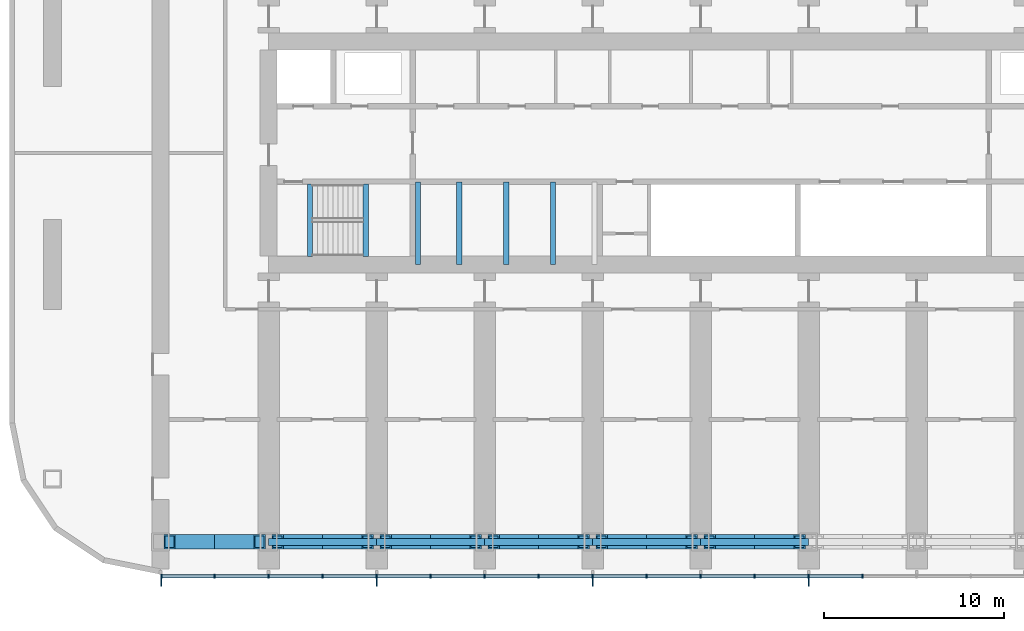
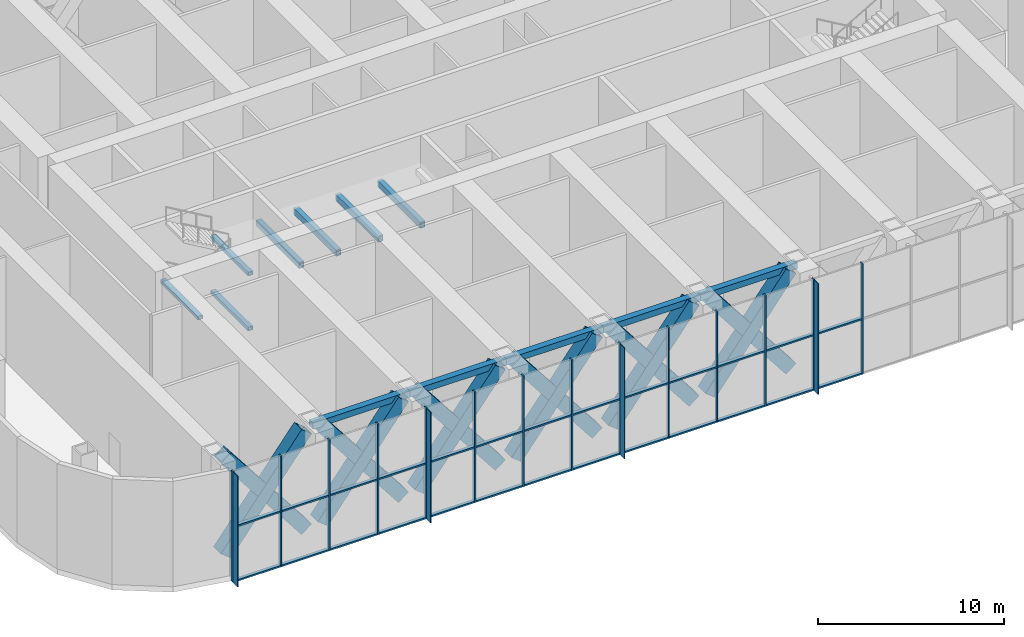
# One storey, part 2 of 22: 56 members, 12 beams, 1 element without a shape of its own.
"""IFC4 building model written with IfcOpenShell, lengths in metres."""

from ifc_helpers import new_model, si_unit, direction, frame, origin, origin_2d, place, context, subcontext, project, spatial, rectangle, hollow_rectangle, extrude, material, material_profile, profile_set, type_object, element, aggregate, save


model = new_model("IFC4")

# Units and contexts
model_context = context("Model", 3, precision=1e-05, world=origin(), true_north=direction((0.0, 1.0)))
body_context = subcontext(model_context, "Body", "Model", "MODEL_VIEW")
ifc_project = project(units=[si_unit("LENGTHUNIT", "METRE"), si_unit("AREAUNIT", "SQUARE_METRE"), si_unit("VOLUMEUNIT", "CUBIC_METRE"), si_unit("PLANEANGLEUNIT", "RADIAN"), si_unit("MASSUNIT", "GRAM", prefix="KILO")], contexts=[model_context])

# Site, building, storey
site_placement = place(None, origin())
site = spatial("IfcSite", under=ifc_project, at=site_placement, CompositionType="ELEMENT")
building_placement = place(site_placement, origin())
building = spatial("IfcBuilding", under=site, at=building_placement, Name="Orbita Commons", CompositionType="ELEMENT")
storey_placement = place(building_placement, frame((0.0, 0.0, 133.14990234375)))
storey = spatial("IfcBuildingStorey", under=building, at=storey_placement, Name="L33", CompositionType="ELEMENT", Elevation=133.14990234375)

# Members
ifc_material_1 = material(Name="Steel ASTM A572 Gr 50 welded plate", Category="steel")
ifc_material_profile_1 = material_profile(ifc_material_1, hollow_rectangle(XDim=0.800048828125, YDim=0.800048828125, WallThickness=0.080078125, at=origin_2d()), Name="BOX 800x800x80")
ifc_profile_set_1 = profile_set([ifc_material_profile_1], Name="Steel ASTM A572 Gr 50 welded plate")
member_type_1 = type_object("IfcMemberType", Name="Belt truss diagonal BOX 800x800x80", PredefinedType="BRACE", material=ifc_profile_set_1)
for number, where, z_axis, x_axis, name in (
    (1, (12.5, 10.39990234375, 0.25), (0.615635291812, 0.0, 0.788031209709), (0.0, 1.0, 0.0), "Belt truss diagonal B 3-4 rising L33"),
    (2, (12.5, 10.39990234375, 6.650146484375), (0.615635291812, 0.0, -0.788031209709), (0.0, 1.0, 0.0), "Belt truss diagonal B 3-4 falling L33"),
    (3, (18.5, 10.39990234375, 0.25), (0.615635291812, 0.0, 0.788031209709), (0.0, 1.0, 0.0), "Belt truss diagonal B 4-5 rising L33"),
    (4, (18.5, 10.39990234375, 6.650146484375), (0.615635291812, 0.0, -0.788031209709), (0.0, 1.0, 0.0), "Belt truss diagonal B 4-5 falling L33"),
    (5, (24.5, 10.39990234375, 0.25), (0.615635291812, 0.0, 0.788031209709), (0.0, 1.0, 0.0), "Belt truss diagonal B 5-6 rising L33"),
    (6, (24.5, 10.39990234375, 6.650146484375), (0.615635291812, 0.0, -0.788031209709), (0.0, 1.0, 0.0), "Belt truss diagonal B 5-6 falling L33"),
    (7, (30.5, 10.39990234375, 0.25), (0.615635291812, 0.0, 0.788031209709), (0.0, 1.0, 0.0), "Belt truss diagonal B 6-7 rising L33"),
    (8, (30.5, 10.39990234375, 6.650146484375), (0.615635291812, 0.0, -0.788031209709), (0.0, 1.0, 0.0), "Belt truss diagonal B 6-7 falling L33"),
    (9, (36.5, 10.39990234375, 0.25), (0.615635291812, 0.0, 0.788031209709), (0.0, 1.0, 0.0), "Belt truss diagonal B 7-8 rising L33"),
    (10, (36.5, 10.39990234375, 6.650146484375), (0.615635291812, 0.0, -0.788031209709), (0.0, 1.0, 0.0), "Belt truss diagonal B 7-8 falling L33"),
    (11, (42.5, 10.39990234375, 0.25), (0.615635291812, 0.0, 0.788031209709), (0.0, 1.0, 0.0), "Belt truss diagonal B 8-9 rising L33"),
    (12, (42.5, 10.39990234375, 6.650146484375), (0.615635291812, 0.0, -0.788031209709), (0.0, 1.0, 0.0), "Belt truss diagonal B 8-9 falling L33"),
):
    element("IfcMember", number, at=place(storey_placement, frame(where, z_axis=z_axis, x_axis=x_axis)), inside=storey, type_object=member_type_1, Name=name, PredefinedType="BRACE", context=body_context, shape_type="SweptSolid", body=[
        extrude(hollow_rectangle(XDim=0.800048828125, YDim=0.800048828125, WallThickness=0.080078125, at=origin_2d()), origin(), (0.0, 0.0, 1.0), 8.12158203125),
    ])

# Curtain wall, members
ifc_material_2 = material(Name="Anodised aluminium frame, pale silver", Category="aluminium")
curtain_wall_type = type_object("IfcCurtainWallType", Name="Louvred curtain wall CW-V", PredefinedType="NOTDEFINED", material=ifc_material_2)
curtain_wall_placement = place(storey_placement, origin())
curtain_wall = element("IfcCurtainWall", 13, at=curtain_wall_placement, inside=storey, type_object=curtain_wall_type, Name="Curtain wall south L33", PredefinedType="NOTDEFINED")
ifc_material_3 = material(Name="Anodised aluminium, pale silver", Category="aluminium")
ifc_material_profile_2 = material_profile(ifc_material_3, rectangle(XDim=0.080078125, YDim=0.219970703125, at=origin_2d()), Name="AL 80x220")
ifc_profile_set_2 = profile_set([ifc_material_profile_2], Name="Anodised aluminium, pale silver")
member_type_2 = type_object("IfcMemberType", Name="Curtain wall mullion 80x220", PredefinedType="MULLION", material=ifc_profile_set_2)
member_1_placement = place(storey_placement, frame((12.0400390625, 8.489990234375, -0.349853515625), z_axis=(0.0, 0.0, 1.0), x_axis=(1.0, 0.0, 0.0)))
member_1 = element("IfcMember", 14, at=member_1_placement, type_object=member_type_2, Name="Mullion 1 CW-L33-S", PredefinedType="MULLION", context=body_context, shape_type="SweptSolid", body=[
    extrude(rectangle(XDim=0.080078125, YDim=0.219970703125, at=origin_2d()), origin(), (0.0, 0.0, 1.0), 7.25),
])
member_2_placement = place(storey_placement, frame((15.0, 8.489990234375, -0.349853515625), z_axis=(0.0, 0.0, 1.0), x_axis=(1.0, 0.0, 0.0)))
member_2 = element("IfcMember", 15, at=member_2_placement, type_object=member_type_2, Name="Mullion 2 CW-L33-S", PredefinedType="MULLION", context=body_context, shape_type="SweptSolid", body=[
    extrude(rectangle(XDim=0.080078125, YDim=0.219970703125, at=origin_2d()), origin(), (0.0, 0.0, 1.0), 7.25),
])
member_3_placement = place(storey_placement, frame((18.0, 8.489990234375, -0.349853515625), z_axis=(0.0, 0.0, 1.0), x_axis=(1.0, 0.0, 0.0)))
member_3 = element("IfcMember", 16, at=member_3_placement, type_object=member_type_2, Name="Mullion 3 CW-L33-S", PredefinedType="MULLION", context=body_context, shape_type="SweptSolid", body=[
    extrude(rectangle(XDim=0.080078125, YDim=0.219970703125, at=origin_2d()), origin(), (0.0, 0.0, 1.0), 7.25),
])
member_4_placement = place(storey_placement, frame((21.0, 8.489990234375, -0.349853515625), z_axis=(0.0, 0.0, 1.0), x_axis=(1.0, 0.0, 0.0)))
member_4 = element("IfcMember", 17, at=member_4_placement, type_object=member_type_2, Name="Mullion 4 CW-L33-S", PredefinedType="MULLION", context=body_context, shape_type="SweptSolid", body=[
    extrude(rectangle(XDim=0.080078125, YDim=0.219970703125, at=origin_2d()), origin(), (0.0, 0.0, 1.0), 7.25),
])
member_5_placement = place(storey_placement, frame((24.0, 8.489990234375, -0.349853515625), z_axis=(0.0, 0.0, 1.0), x_axis=(1.0, 0.0, 0.0)))
member_5 = element("IfcMember", 18, at=member_5_placement, type_object=member_type_2, Name="Mullion 5 CW-L33-S", PredefinedType="MULLION", context=body_context, shape_type="SweptSolid", body=[
    extrude(rectangle(XDim=0.080078125, YDim=0.219970703125, at=origin_2d()), origin(), (0.0, 0.0, 1.0), 7.25),
])
member_6_placement = place(storey_placement, frame((27.0, 8.489990234375, -0.349853515625), z_axis=(0.0, 0.0, 1.0), x_axis=(1.0, 0.0, 0.0)))
member_6 = element("IfcMember", 19, at=member_6_placement, type_object=member_type_2, Name="Mullion 6 CW-L33-S", PredefinedType="MULLION", context=body_context, shape_type="SweptSolid", body=[
    extrude(rectangle(XDim=0.080078125, YDim=0.219970703125, at=origin_2d()), origin(), (0.0, 0.0, 1.0), 7.25),
])
member_7_placement = place(storey_placement, frame((30.0, 8.489990234375, -0.349853515625), z_axis=(0.0, 0.0, 1.0), x_axis=(1.0, 0.0, 0.0)))
member_7 = element("IfcMember", 20, at=member_7_placement, type_object=member_type_2, Name="Mullion 7 CW-L33-S", PredefinedType="MULLION", context=body_context, shape_type="SweptSolid", body=[
    extrude(rectangle(XDim=0.080078125, YDim=0.219970703125, at=origin_2d()), origin(), (0.0, 0.0, 1.0), 7.25),
])
member_8_placement = place(storey_placement, frame((33.0, 8.489990234375, -0.349853515625), z_axis=(0.0, 0.0, 1.0), x_axis=(1.0, 0.0, 0.0)))
member_8 = element("IfcMember", 21, at=member_8_placement, type_object=member_type_2, Name="Mullion 8 CW-L33-S", PredefinedType="MULLION", context=body_context, shape_type="SweptSolid", body=[
    extrude(rectangle(XDim=0.080078125, YDim=0.219970703125, at=origin_2d()), origin(), (0.0, 0.0, 1.0), 7.25),
])
member_9_placement = place(storey_placement, frame((36.0, 8.489990234375, -0.349853515625), z_axis=(0.0, 0.0, 1.0), x_axis=(1.0, 0.0, 0.0)))
member_9 = element("IfcMember", 22, at=member_9_placement, type_object=member_type_2, Name="Mullion 9 CW-L33-S", PredefinedType="MULLION", context=body_context, shape_type="SweptSolid", body=[
    extrude(rectangle(XDim=0.080078125, YDim=0.219970703125, at=origin_2d()), origin(), (0.0, 0.0, 1.0), 7.25),
])
member_10_placement = place(storey_placement, frame((39.0, 8.489990234375, -0.349853515625), z_axis=(0.0, 0.0, 1.0), x_axis=(1.0, 0.0, 0.0)))
member_10 = element("IfcMember", 23, at=member_10_placement, type_object=member_type_2, Name="Mullion 10 CW-L33-S", PredefinedType="MULLION", context=body_context, shape_type="SweptSolid", body=[
    extrude(rectangle(XDim=0.080078125, YDim=0.219970703125, at=origin_2d()), origin(), (0.0, 0.0, 1.0), 7.25),
])
member_11_placement = place(storey_placement, frame((42.0, 8.489990234375, -0.349853515625), z_axis=(0.0, 0.0, 1.0), x_axis=(1.0, 0.0, 0.0)))
member_11 = element("IfcMember", 24, at=member_11_placement, type_object=member_type_2, Name="Mullion 11 CW-L33-S", PredefinedType="MULLION", context=body_context, shape_type="SweptSolid", body=[
    extrude(rectangle(XDim=0.080078125, YDim=0.219970703125, at=origin_2d()), origin(), (0.0, 0.0, 1.0), 7.25),
])
member_12_placement = place(storey_placement, frame((45.0, 8.489990234375, -0.349853515625), z_axis=(0.0, 0.0, 1.0), x_axis=(1.0, 0.0, 0.0)))
member_12 = element("IfcMember", 25, at=member_12_placement, type_object=member_type_2, Name="Mullion 12 CW-L33-S", PredefinedType="MULLION", context=body_context, shape_type="SweptSolid", body=[
    extrude(rectangle(XDim=0.080078125, YDim=0.219970703125, at=origin_2d()), origin(), (0.0, 0.0, 1.0), 7.25),
])
member_13_placement = place(storey_placement, frame((48.0, 8.489990234375, -0.349853515625), z_axis=(0.0, 0.0, 1.0), x_axis=(1.0, 0.0, 0.0)))
member_13 = element("IfcMember", 26, at=member_13_placement, type_object=member_type_2, Name="Mullion 13 CW-L33-S", PredefinedType="MULLION", context=body_context, shape_type="SweptSolid", body=[
    extrude(rectangle(XDim=0.080078125, YDim=0.219970703125, at=origin_2d()), origin(), (0.0, 0.0, 1.0), 7.25),
])
member_14_placement = place(storey_placement, frame((51.0, 8.489990234375, -0.349853515625), z_axis=(0.0, 0.0, 1.0), x_axis=(1.0, 0.0, 0.0)))
member_14 = element("IfcMember", 27, at=member_14_placement, type_object=member_type_2, Name="Mullion 14 CW-L33-S", PredefinedType="MULLION", context=body_context, shape_type="SweptSolid", body=[
    extrude(rectangle(XDim=0.080078125, YDim=0.219970703125, at=origin_2d()), origin(), (0.0, 0.0, 1.0), 7.25),
])
ifc_material_4 = material(Name="Anodised aluminium, pale silver", Category="aluminium")
ifc_material_profile_3 = material_profile(ifc_material_4, rectangle(XDim=0.219970703125, YDim=0.10009765625, at=origin_2d()), Name="AL 220x100")
ifc_profile_set_3 = profile_set([ifc_material_profile_3], Name="Anodised aluminium, pale silver")
member_type_3 = type_object("IfcMemberType", Name="Curtain wall stack transom 220x100", PredefinedType="USERDEFINED", material=ifc_profile_set_3)
member_15_placement = place(storey_placement, frame((12.080078125, 8.489990234375, -0.2998046875), z_axis=(1.0, 0.0, 0.0), x_axis=(0.0, 1.0, 0.0)))
member_15 = element("IfcMember", 28, at=member_15_placement, type_object=member_type_3, Name="Transom 1.1 CW-L33-S", ObjectType="TRANSOM", PredefinedType="USERDEFINED", context=body_context, shape_type="SweptSolid", body=[
    extrude(rectangle(XDim=0.219970703125, YDim=0.10009765625, at=origin_2d()), origin(), (0.0, 0.0, 1.0), 2.8798828125),
])
member_16_placement = place(storey_placement, frame((12.080078125, 8.489990234375, 3.275146484375), z_axis=(1.0, 0.0, 0.0), x_axis=(0.0, 1.0, 0.0)))
member_16 = element("IfcMember", 29, at=member_16_placement, type_object=member_type_3, Name="Transom 1.2 CW-L33-S", ObjectType="TRANSOM", PredefinedType="USERDEFINED", context=body_context, shape_type="SweptSolid", body=[
    extrude(rectangle(XDim=0.219970703125, YDim=0.10009765625, at=origin_2d()), origin(), (0.0, 0.0, 1.0), 2.8798828125),
])
member_17_placement = place(storey_placement, frame((15.0400390625, 8.489990234375, -0.2998046875), z_axis=(1.0, 0.0, 0.0), x_axis=(0.0, 1.0, 0.0)))
member_17 = element("IfcMember", 30, at=member_17_placement, type_object=member_type_3, Name="Transom 2.1 CW-L33-S", ObjectType="TRANSOM", PredefinedType="USERDEFINED", context=body_context, shape_type="SweptSolid", body=[
    extrude(rectangle(XDim=0.219970703125, YDim=0.10009765625, at=origin_2d()), origin(), (0.0, 0.0, 1.0), 2.919921875),
])
member_18_placement = place(storey_placement, frame((15.0400390625, 8.489990234375, 3.275146484375), z_axis=(1.0, 0.0, 0.0), x_axis=(0.0, 1.0, 0.0)))
member_18 = element("IfcMember", 31, at=member_18_placement, type_object=member_type_3, Name="Transom 2.2 CW-L33-S", ObjectType="TRANSOM", PredefinedType="USERDEFINED", context=body_context, shape_type="SweptSolid", body=[
    extrude(rectangle(XDim=0.219970703125, YDim=0.10009765625, at=origin_2d()), origin(), (0.0, 0.0, 1.0), 2.919921875),
])
member_19_placement = place(storey_placement, frame((18.0400390625, 8.489990234375, -0.2998046875), z_axis=(1.0, 0.0, 0.0), x_axis=(0.0, 1.0, 0.0)))
member_19 = element("IfcMember", 32, at=member_19_placement, type_object=member_type_3, Name="Transom 3.1 CW-L33-S", ObjectType="TRANSOM", PredefinedType="USERDEFINED", context=body_context, shape_type="SweptSolid", body=[
    extrude(rectangle(XDim=0.219970703125, YDim=0.10009765625, at=origin_2d()), origin(), (0.0, 0.0, 1.0), 2.919921875),
])
member_20_placement = place(storey_placement, frame((18.0400390625, 8.489990234375, 3.275146484375), z_axis=(1.0, 0.0, 0.0), x_axis=(0.0, 1.0, 0.0)))
member_20 = element("IfcMember", 33, at=member_20_placement, type_object=member_type_3, Name="Transom 3.2 CW-L33-S", ObjectType="TRANSOM", PredefinedType="USERDEFINED", context=body_context, shape_type="SweptSolid", body=[
    extrude(rectangle(XDim=0.219970703125, YDim=0.10009765625, at=origin_2d()), origin(), (0.0, 0.0, 1.0), 2.919921875),
])
member_21_placement = place(storey_placement, frame((21.0400390625, 8.489990234375, -0.2998046875), z_axis=(1.0, 0.0, 0.0), x_axis=(0.0, 1.0, 0.0)))
member_21 = element("IfcMember", 34, at=member_21_placement, type_object=member_type_3, Name="Transom 4.1 CW-L33-S", ObjectType="TRANSOM", PredefinedType="USERDEFINED", context=body_context, shape_type="SweptSolid", body=[
    extrude(rectangle(XDim=0.219970703125, YDim=0.10009765625, at=origin_2d()), origin(), (0.0, 0.0, 1.0), 2.919921875),
])
member_22_placement = place(storey_placement, frame((21.0400390625, 8.489990234375, 3.275146484375), z_axis=(1.0, 0.0, 0.0), x_axis=(0.0, 1.0, 0.0)))
member_22 = element("IfcMember", 35, at=member_22_placement, type_object=member_type_3, Name="Transom 4.2 CW-L33-S", ObjectType="TRANSOM", PredefinedType="USERDEFINED", context=body_context, shape_type="SweptSolid", body=[
    extrude(rectangle(XDim=0.219970703125, YDim=0.10009765625, at=origin_2d()), origin(), (0.0, 0.0, 1.0), 2.919921875),
])
member_23_placement = place(storey_placement, frame((24.0400390625, 8.489990234375, -0.2998046875), z_axis=(1.0, 0.0, 0.0), x_axis=(0.0, 1.0, 0.0)))
member_23 = element("IfcMember", 36, at=member_23_placement, type_object=member_type_3, Name="Transom 5.1 CW-L33-S", ObjectType="TRANSOM", PredefinedType="USERDEFINED", context=body_context, shape_type="SweptSolid", body=[
    extrude(rectangle(XDim=0.219970703125, YDim=0.10009765625, at=origin_2d()), origin(), (0.0, 0.0, 1.0), 2.919921875),
])
member_24_placement = place(storey_placement, frame((24.0400390625, 8.489990234375, 3.275146484375), z_axis=(1.0, 0.0, 0.0), x_axis=(0.0, 1.0, 0.0)))
member_24 = element("IfcMember", 37, at=member_24_placement, type_object=member_type_3, Name="Transom 5.2 CW-L33-S", ObjectType="TRANSOM", PredefinedType="USERDEFINED", context=body_context, shape_type="SweptSolid", body=[
    extrude(rectangle(XDim=0.219970703125, YDim=0.10009765625, at=origin_2d()), origin(), (0.0, 0.0, 1.0), 2.919921875),
])
member_25_placement = place(storey_placement, frame((27.0400390625, 8.489990234375, -0.2998046875), z_axis=(1.0, 0.0, 0.0), x_axis=(0.0, 1.0, 0.0)))
member_25 = element("IfcMember", 38, at=member_25_placement, type_object=member_type_3, Name="Transom 6.1 CW-L33-S", ObjectType="TRANSOM", PredefinedType="USERDEFINED", context=body_context, shape_type="SweptSolid", body=[
    extrude(rectangle(XDim=0.219970703125, YDim=0.10009765625, at=origin_2d()), origin(), (0.0, 0.0, 1.0), 2.919921875),
])
member_26_placement = place(storey_placement, frame((27.0400390625, 8.489990234375, 3.275146484375), z_axis=(1.0, 0.0, 0.0), x_axis=(0.0, 1.0, 0.0)))
member_26 = element("IfcMember", 39, at=member_26_placement, type_object=member_type_3, Name="Transom 6.2 CW-L33-S", ObjectType="TRANSOM", PredefinedType="USERDEFINED", context=body_context, shape_type="SweptSolid", body=[
    extrude(rectangle(XDim=0.219970703125, YDim=0.10009765625, at=origin_2d()), origin(), (0.0, 0.0, 1.0), 2.919921875),
])
member_27_placement = place(storey_placement, frame((30.0400390625, 8.489990234375, -0.2998046875), z_axis=(1.0, 0.0, 0.0), x_axis=(0.0, 1.0, 0.0)))
member_27 = element("IfcMember", 40, at=member_27_placement, type_object=member_type_3, Name="Transom 7.1 CW-L33-S", ObjectType="TRANSOM", PredefinedType="USERDEFINED", context=body_context, shape_type="SweptSolid", body=[
    extrude(rectangle(XDim=0.219970703125, YDim=0.10009765625, at=origin_2d()), origin(), (0.0, 0.0, 1.0), 2.919921875),
])
member_28_placement = place(storey_placement, frame((30.0400390625, 8.489990234375, 3.275146484375), z_axis=(1.0, 0.0, 0.0), x_axis=(0.0, 1.0, 0.0)))
member_28 = element("IfcMember", 41, at=member_28_placement, type_object=member_type_3, Name="Transom 7.2 CW-L33-S", ObjectType="TRANSOM", PredefinedType="USERDEFINED", context=body_context, shape_type="SweptSolid", body=[
    extrude(rectangle(XDim=0.219970703125, YDim=0.10009765625, at=origin_2d()), origin(), (0.0, 0.0, 1.0), 2.919921875),
])
member_29_placement = place(storey_placement, frame((33.0400390625, 8.489990234375, -0.2998046875), z_axis=(1.0, 0.0, 0.0), x_axis=(0.0, 1.0, 0.0)))
member_29 = element("IfcMember", 42, at=member_29_placement, type_object=member_type_3, Name="Transom 8.1 CW-L33-S", ObjectType="TRANSOM", PredefinedType="USERDEFINED", context=body_context, shape_type="SweptSolid", body=[
    extrude(rectangle(XDim=0.219970703125, YDim=0.10009765625, at=origin_2d()), origin(), (0.0, 0.0, 1.0), 2.919921875),
])
member_30_placement = place(storey_placement, frame((33.0400390625, 8.489990234375, 3.275146484375), z_axis=(1.0, 0.0, 0.0), x_axis=(0.0, 1.0, 0.0)))
member_30 = element("IfcMember", 43, at=member_30_placement, type_object=member_type_3, Name="Transom 8.2 CW-L33-S", ObjectType="TRANSOM", PredefinedType="USERDEFINED", context=body_context, shape_type="SweptSolid", body=[
    extrude(rectangle(XDim=0.219970703125, YDim=0.10009765625, at=origin_2d()), origin(), (0.0, 0.0, 1.0), 2.919921875),
])
member_31_placement = place(storey_placement, frame((36.0400390625, 8.489990234375, -0.2998046875), z_axis=(1.0, 0.0, 0.0), x_axis=(0.0, 1.0, 0.0)))
member_31 = element("IfcMember", 44, at=member_31_placement, type_object=member_type_3, Name="Transom 9.1 CW-L33-S", ObjectType="TRANSOM", PredefinedType="USERDEFINED", context=body_context, shape_type="SweptSolid", body=[
    extrude(rectangle(XDim=0.219970703125, YDim=0.10009765625, at=origin_2d()), origin(), (0.0, 0.0, 1.0), 2.919921875),
])
member_32_placement = place(storey_placement, frame((36.0400390625, 8.489990234375, 3.275146484375), z_axis=(1.0, 0.0, 0.0), x_axis=(0.0, 1.0, 0.0)))
member_32 = element("IfcMember", 45, at=member_32_placement, type_object=member_type_3, Name="Transom 9.2 CW-L33-S", ObjectType="TRANSOM", PredefinedType="USERDEFINED", context=body_context, shape_type="SweptSolid", body=[
    extrude(rectangle(XDim=0.219970703125, YDim=0.10009765625, at=origin_2d()), origin(), (0.0, 0.0, 1.0), 2.919921875),
])
member_33_placement = place(storey_placement, frame((39.0400390625, 8.489990234375, -0.2998046875), z_axis=(1.0, 0.0, 0.0), x_axis=(0.0, 1.0, 0.0)))
member_33 = element("IfcMember", 46, at=member_33_placement, type_object=member_type_3, Name="Transom 10.1 CW-L33-S", ObjectType="TRANSOM", PredefinedType="USERDEFINED", context=body_context, shape_type="SweptSolid", body=[
    extrude(rectangle(XDim=0.219970703125, YDim=0.10009765625, at=origin_2d()), origin(), (0.0, 0.0, 1.0), 2.919921875),
])
member_34_placement = place(storey_placement, frame((39.0400390625, 8.489990234375, 3.275146484375), z_axis=(1.0, 0.0, 0.0), x_axis=(0.0, 1.0, 0.0)))
member_34 = element("IfcMember", 47, at=member_34_placement, type_object=member_type_3, Name="Transom 10.2 CW-L33-S", ObjectType="TRANSOM", PredefinedType="USERDEFINED", context=body_context, shape_type="SweptSolid", body=[
    extrude(rectangle(XDim=0.219970703125, YDim=0.10009765625, at=origin_2d()), origin(), (0.0, 0.0, 1.0), 2.919921875),
])
member_35_placement = place(storey_placement, frame((42.0400390625, 8.489990234375, -0.2998046875), z_axis=(1.0, 0.0, 0.0), x_axis=(0.0, 1.0, 0.0)))
member_35 = element("IfcMember", 48, at=member_35_placement, type_object=member_type_3, Name="Transom 11.1 CW-L33-S", ObjectType="TRANSOM", PredefinedType="USERDEFINED", context=body_context, shape_type="SweptSolid", body=[
    extrude(rectangle(XDim=0.219970703125, YDim=0.10009765625, at=origin_2d()), origin(), (0.0, 0.0, 1.0), 2.919921875),
])
member_36_placement = place(storey_placement, frame((42.0400390625, 8.489990234375, 3.275146484375), z_axis=(1.0, 0.0, 0.0), x_axis=(0.0, 1.0, 0.0)))
member_36 = element("IfcMember", 49, at=member_36_placement, type_object=member_type_3, Name="Transom 11.2 CW-L33-S", ObjectType="TRANSOM", PredefinedType="USERDEFINED", context=body_context, shape_type="SweptSolid", body=[
    extrude(rectangle(XDim=0.219970703125, YDim=0.10009765625, at=origin_2d()), origin(), (0.0, 0.0, 1.0), 2.919921875),
])
member_37_placement = place(storey_placement, frame((45.0400390625, 8.489990234375, -0.2998046875), z_axis=(1.0, 0.0, 0.0), x_axis=(0.0, 1.0, 0.0)))
member_37 = element("IfcMember", 50, at=member_37_placement, type_object=member_type_3, Name="Transom 12.1 CW-L33-S", ObjectType="TRANSOM", PredefinedType="USERDEFINED", context=body_context, shape_type="SweptSolid", body=[
    extrude(rectangle(XDim=0.219970703125, YDim=0.10009765625, at=origin_2d()), origin(), (0.0, 0.0, 1.0), 2.919921875),
])
member_38_placement = place(storey_placement, frame((45.0400390625, 8.489990234375, 3.275146484375), z_axis=(1.0, 0.0, 0.0), x_axis=(0.0, 1.0, 0.0)))
member_38 = element("IfcMember", 51, at=member_38_placement, type_object=member_type_3, Name="Transom 12.2 CW-L33-S", ObjectType="TRANSOM", PredefinedType="USERDEFINED", context=body_context, shape_type="SweptSolid", body=[
    extrude(rectangle(XDim=0.219970703125, YDim=0.10009765625, at=origin_2d()), origin(), (0.0, 0.0, 1.0), 2.919921875),
])
member_39_placement = place(storey_placement, frame((48.0400390625, 8.489990234375, -0.2998046875), z_axis=(1.0, 0.0, 0.0), x_axis=(0.0, 1.0, 0.0)))
member_39 = element("IfcMember", 52, at=member_39_placement, type_object=member_type_3, Name="Transom 13.1 CW-L33-S", ObjectType="TRANSOM", PredefinedType="USERDEFINED", context=body_context, shape_type="SweptSolid", body=[
    extrude(rectangle(XDim=0.219970703125, YDim=0.10009765625, at=origin_2d()), origin(), (0.0, 0.0, 1.0), 2.919921875),
])
member_40_placement = place(storey_placement, frame((48.0400390625, 8.489990234375, 3.275146484375), z_axis=(1.0, 0.0, 0.0), x_axis=(0.0, 1.0, 0.0)))
member_40 = element("IfcMember", 53, at=member_40_placement, type_object=member_type_3, Name="Transom 13.2 CW-L33-S", ObjectType="TRANSOM", PredefinedType="USERDEFINED", context=body_context, shape_type="SweptSolid", body=[
    extrude(rectangle(XDim=0.219970703125, YDim=0.10009765625, at=origin_2d()), origin(), (0.0, 0.0, 1.0), 2.919921875),
])

# Beams
ifc_material_5 = material(Name="Steel ASTM A572 Gr 50 welded plate", Category="steel")
ifc_material_profile_4 = material_profile(ifc_material_5, hollow_rectangle(XDim=0.300048828125, YDim=0.39990234375, WallThickness=0.0400390625, at=origin_2d()), Name="BOX 400x300x40")
ifc_profile_set_4 = profile_set([ifc_material_profile_4], Name="Steel ASTM A572 Gr 50 welded plate")
beam_type_1 = type_object("IfcBeamType", Name="Lift pit beam steel BOX 400x300x40", PredefinedType="BEAM", material=ifc_profile_set_4)
for number, where, z_axis, x_axis, name in (
    (54, (26.300048828125, 25.800048828125, 4.900146484375), (0.0, 1.0, 0.0), (-1.0, 0.0, 0.0), "Lift pit slab bank P3 beam 1"),
    (55, (28.60009765625, 25.800048828125, 4.900146484375), (0.0, 1.0, 0.0), (-1.0, 0.0, 0.0), "Lift pit slab bank P3 beam 2"),
    (56, (31.199951171875, 25.800048828125, 4.900146484375), (0.0, 1.0, 0.0), (-1.0, 0.0, 0.0), "Lift pit slab bank P3 beam 3"),
    (57, (33.800048828125, 25.800048828125, 4.900146484375), (0.0, 1.0, 0.0), (-1.0, 0.0, 0.0), "Lift pit slab bank P3 beam 4"),
):
    element("IfcBeam", number, at=place(storey_placement, frame(where, z_axis=z_axis, x_axis=x_axis)), inside=storey, type_object=beam_type_1, Name=name, PredefinedType="BEAM", context=body_context, shape_type="SweptSolid", body=[
        extrude(hollow_rectangle(XDim=0.300048828125, YDim=0.39990234375, WallThickness=0.0400390625, at=origin_2d()), origin(), (0.0, 0.0, 1.0), 4.599853515625),
    ])
ifc_material_6 = material(Name="Steel ASTM A572 Gr 50 welded plate", Category="steel")
ifc_material_profile_5 = material_profile(ifc_material_6, hollow_rectangle(XDim=0.300048828125, YDim=0.25, WallThickness=0.02490234375, at=origin_2d()), Name="BOX 250x300x25")
ifc_profile_set_5 = profile_set([ifc_material_profile_5], Name="Steel ASTM A572 Gr 50 welded plate")
beam_type_2 = type_object("IfcBeamType", Name="Stair landing beam steel BOX 250x300x25", PredefinedType="BEAM", material=ifc_profile_set_5)
for number, where, z_axis, x_axis, name in (
    (58, (23.39990234375, 26.260009765625, 1.47509765625), (0.0, 1.0, 0.0), (-1.0, 0.0, 0.0), "Stair S1 landing beam L33 1"),
    (59, (20.300048828125, 26.260009765625, 3.275146484375), (0.0, 1.0, 0.0), (-1.0, 0.0, 0.0), "Stair S1 landing beam L33 2"),
    (60, (23.39990234375, 26.260009765625, 5.0751953125), (0.0, 1.0, 0.0), (-1.0, 0.0, 0.0), "Stair S1 landing beam L33 3"),
):
    element("IfcBeam", number, at=place(storey_placement, frame(where, z_axis=z_axis, x_axis=x_axis)), inside=storey, type_object=beam_type_2, Name=name, PredefinedType="BEAM", context=body_context, shape_type="SweptSolid", body=[
        extrude(hollow_rectangle(XDim=0.300048828125, YDim=0.25, WallThickness=0.02490234375, at=origin_2d()), origin(), (0.0, 0.0, 1.0), 4.0048828125),
    ])
ifc_material_7 = material(Name="Steel ASTM A572 Gr 50 welded plate", Category="steel")
ifc_material_profile_6 = material_profile(ifc_material_7, hollow_rectangle(XDim=0.39990234375, YDim=0.39990234375, WallThickness=0.0400390625, at=origin_2d()), Name="BOX 400x400x40")
ifc_profile_set_6 = profile_set([ifc_material_profile_6], Name="Steel ASTM A572 Gr 50 welded plate")
beam_type_3 = type_object("IfcBeamType", Name="Steel spandrel BOX 400x400x40", PredefinedType="SPANDREL", material=ifc_profile_set_6)
for number, where, z_axis, x_axis, name in (
    (61, (18.0, 10.39990234375, 6.7001953125), (1.0, 0.0, 0.0), (0.0, 1.0, 0.0), "Spandrel beam B 4-5 L33"),
    (62, (24.0, 10.39990234375, 6.7001953125), (1.0, 0.0, 0.0), (0.0, 1.0, 0.0), "Spandrel beam B 5-6 L33"),
    (63, (30.0, 10.39990234375, 6.7001953125), (1.0, 0.0, 0.0), (0.0, 1.0, 0.0), "Spandrel beam B 6-7 L33"),
    (64, (36.0, 10.39990234375, 6.7001953125), (1.0, 0.0, 0.0), (0.0, 1.0, 0.0), "Spandrel beam B 7-8 L33"),
    (65, (42.0, 10.39990234375, 6.7001953125), (1.0, 0.0, 0.0), (0.0, 1.0, 0.0), "Spandrel beam B 8-9 L33"),
):
    element("IfcBeam", number, at=place(storey_placement, frame(where, z_axis=z_axis, x_axis=x_axis)), inside=storey, type_object=beam_type_3, Name=name, PredefinedType="SPANDREL", context=body_context, shape_type="SweptSolid", body=[
        extrude(hollow_rectangle(XDim=0.39990234375, YDim=0.39990234375, WallThickness=0.0400390625, at=origin_2d()), origin(), (0.0, 0.0, 1.0), 6.0),
    ])

# Member
ifc_material_8 = material(Name="Anodised aluminium, pale silver", Category="aluminium")
ifc_material_profile_7 = material_profile(ifc_material_8, rectangle(XDim=0.06005859375, YDim=0.449951171875, at=origin_2d()), Name="FIN 60x450")
ifc_profile_set_7 = profile_set([ifc_material_profile_7], Name="Anodised aluminium, pale silver")
member_type_4 = type_object("IfcMemberType", Name="Vertical fin 60x450 pale aluminium", PredefinedType="USERDEFINED", material=ifc_profile_set_7)
member_41_placement = place(storey_placement, frame((12.0400390625, 8.155029296875, -0.349853515625), z_axis=(0.0, 0.0, 1.0), x_axis=(1.0, 0.0, 0.0)))
member_41 = element("IfcMember", 66, at=member_41_placement, type_object=member_type_4, Name="Fin 1 CW-L33-S", ObjectType="FIN", PredefinedType="USERDEFINED", context=body_context, shape_type="SweptSolid", body=[
    extrude(rectangle(XDim=0.06005859375, YDim=0.449951171875, at=origin_2d()), origin(), (0.0, 0.0, 1.0), 7.25),
])

member_42_placement = place(storey_placement, frame((24.0, 8.155029296875, -0.349853515625), z_axis=(0.0, 0.0, 1.0), x_axis=(1.0, 0.0, 0.0)))
member_42 = element("IfcMember", 67, at=member_42_placement, type_object=member_type_4, Name="Fin 5 CW-L33-S", ObjectType="FIN", PredefinedType="USERDEFINED", context=body_context, shape_type="SweptSolid", body=[
    extrude(rectangle(XDim=0.06005859375, YDim=0.449951171875, at=origin_2d()), origin(), (0.0, 0.0, 1.0), 7.25),
])

member_43_placement = place(storey_placement, frame((36.0, 8.155029296875, -0.349853515625), z_axis=(0.0, 0.0, 1.0), x_axis=(1.0, 0.0, 0.0)))
member_43 = element("IfcMember", 68, at=member_43_placement, type_object=member_type_4, Name="Fin 9 CW-L33-S", ObjectType="FIN", PredefinedType="USERDEFINED", context=body_context, shape_type="SweptSolid", body=[
    extrude(rectangle(XDim=0.06005859375, YDim=0.449951171875, at=origin_2d()), origin(), (0.0, 0.0, 1.0), 7.25),
])

member_44_placement = place(storey_placement, frame((48.0, 8.155029296875, -0.349853515625), z_axis=(0.0, 0.0, 1.0), x_axis=(1.0, 0.0, 0.0)))
member_44 = element("IfcMember", 69, at=member_44_placement, type_object=member_type_4, Name="Fin 13 CW-L33-S", ObjectType="FIN", PredefinedType="USERDEFINED", context=body_context, shape_type="SweptSolid", body=[
    extrude(rectangle(XDim=0.06005859375, YDim=0.449951171875, at=origin_2d()), origin(), (0.0, 0.0, 1.0), 7.25),
])

aggregate(curtain_wall, [member_1, member_41, member_2, member_3, member_4, member_5, member_42, member_6, member_7, member_8, member_9, member_43, member_10, member_11, member_12, member_13, member_44, member_14, member_15, member_16, member_17, member_18, member_19, member_20, member_21, member_22, member_23, member_24, member_25, member_26, member_27, member_28, member_29, member_30, member_31, member_32, member_33, member_34, member_35, member_36, member_37, member_38, member_39, member_40])

save(model, "model.ifc")
